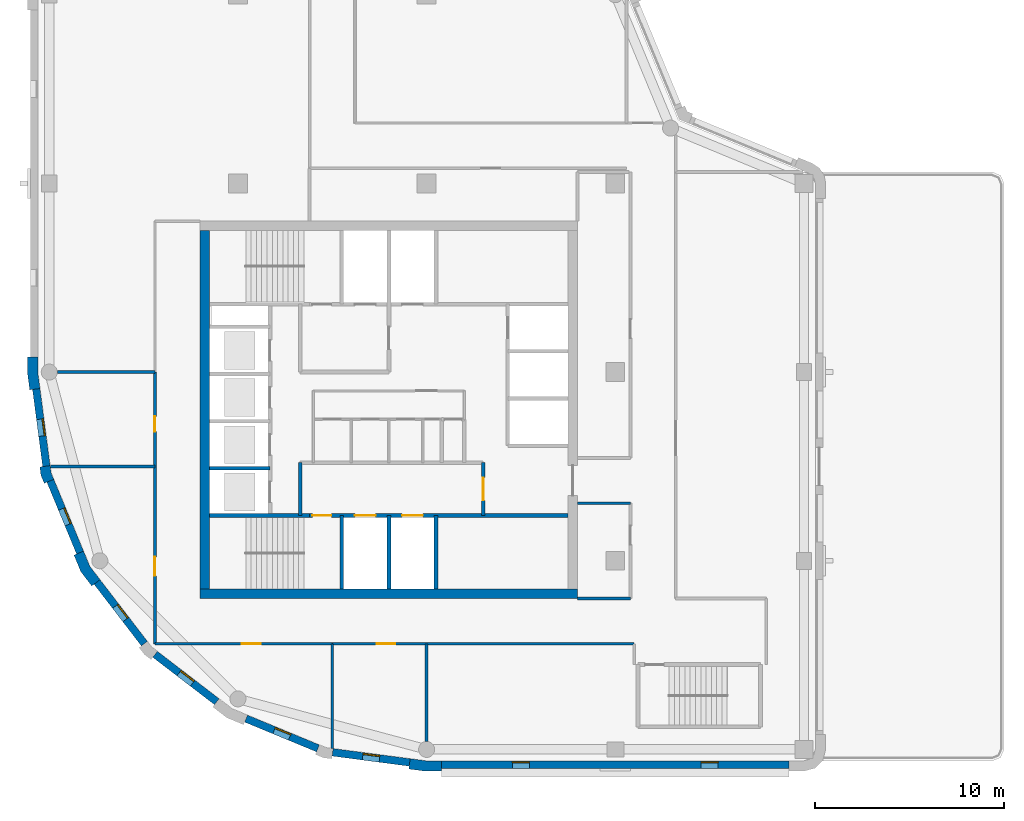
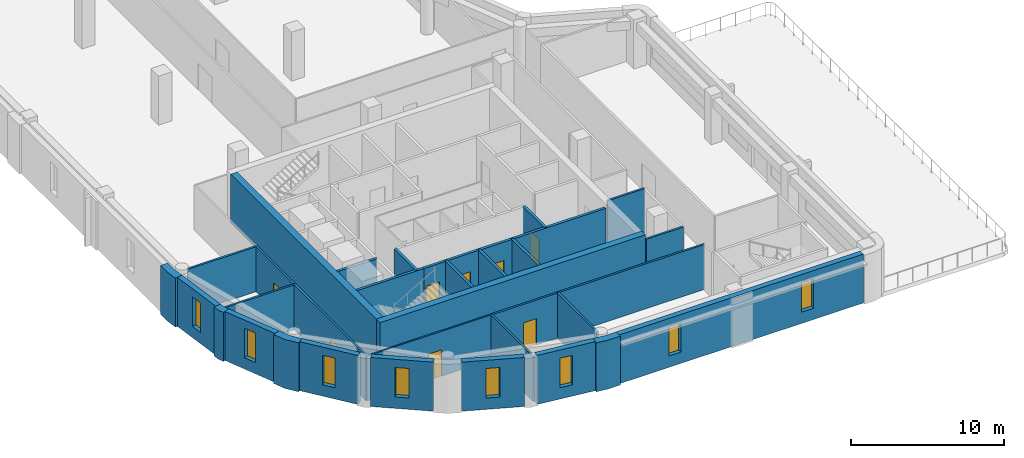
# One storey, part 2 of 8: 30 walls, 8 doors, 8 windows, 16 openings.
"""IFC4 building model written with IfcOpenShell, lengths in metres."""

from ifc_helpers import new_model, si_unit, direction, frame, frame_2d, origin, place, context, subcontext, project, spatial, polyline, rectangle, outline, extrude, material, layer, layer_set, type_object, element, fill, save


model = new_model("IFC4")

# Units and contexts
model_context = context("Model", 3, precision=1e-05, world=origin(), true_north=direction((0.0, 1.0)))
body_context = subcontext(model_context, "Body", "Model", "MODEL_VIEW")
ifc_project = project(units=[si_unit("LENGTHUNIT", "METRE"), si_unit("AREAUNIT", "SQUARE_METRE"), si_unit("VOLUMEUNIT", "CUBIC_METRE"), si_unit("PLANEANGLEUNIT", "RADIAN"), si_unit("MASSUNIT", "GRAM", prefix="KILO")], contexts=[model_context])

# Site, building, storey
site_placement = place(None, origin())
site = spatial("IfcSite", under=ifc_project, at=site_placement, CompositionType="ELEMENT")
building_placement = place(site_placement, origin())
building = spatial("IfcBuilding", under=site, at=building_placement, Name="Qaws Garden Tower", CompositionType="ELEMENT")
storey_placement = place(building_placement, frame((0.0, 0.0, 278.699951171875)))
storey = spatial("IfcBuildingStorey", under=building, at=storey_placement, Name="L67", CompositionType="ELEMENT", Elevation=278.699951171875)

# Wall, openings, windows
ifc_material_1 = material(Name="Clay facing brick masonry", Category="masonry")
ifc_layer_1 = layer(ifc_material_1, 0.39990234375)
ifc_layer_set_1 = layer_set([ifc_layer_1], Name="Clay facing brick masonry")
wall_type_1 = type_object("IfcWallType", Name="Brick infill wall 400", PredefinedType="SOLIDWALL", material=ifc_layer_set_1)
wall_1_placement = place(storey_placement, frame((20.800048828125, -0.800048828125, 0.0), z_axis=(0.0, 0.0, 1.0), x_axis=(1.0, 0.0, 0.0)))
wall_1 = element("IfcWall", 1, at=wall_1_placement, inside=storey, type_object=wall_type_1, Name="E-L67-infill-00", PredefinedType="SOLIDWALL", context=body_context, shape_type="SweptSolid", body=[
    extrude(rectangle(XDim=18.39990234375, YDim=0.39990234375, at=frame_2d((9.199951171875, 0.0))), origin(), (0.0, 0.0, 1.0), 3.900146484375),
])
opening_1_placement = place(wall_1_placement, frame((3.75, 0.0, 0.89990234375)))
opening_1 = element("IfcOpeningElement", 2, at=opening_1_placement, cuts=wall_1, Name="Opening W09", PredefinedType="OPENING", context=body_context, shape_type="SweptSolid", body=[
    extrude(rectangle(XDim=0.89990234375, YDim=2.35009765625, at=frame_2d((0.449951171875, 1.175048828125))), frame((0.0, 0.2099609375, 0.0), z_axis=(0.0, -1.0, 0.0), x_axis=(1.0, 0.0, 0.0)), (0.0, 0.0, 1.0), 0.419921875),
])
opening_2_placement = place(wall_1_placement, frame((13.75, 0.0, 0.89990234375)))
opening_2 = element("IfcOpeningElement", 3, at=opening_2_placement, cuts=wall_1, Name="Opening W09", PredefinedType="OPENING", context=body_context, shape_type="SweptSolid", body=[
    extrude(rectangle(XDim=0.89990234375, YDim=2.35009765625, at=frame_2d((0.449951171875, 1.175048828125))), frame((0.0, 0.2099609375, 0.0), z_axis=(0.0, -1.0, 0.0), x_axis=(1.0, 0.0, 0.0)), (0.0, 0.0, 1.0), 0.419921875),
])
ifc_material_2 = material(Name="Aluminium framed window, clear glazing", Category="aluminium")
window_type = type_object("IfcWindowType", Name="Slit window 900 x 2350", PartitioningType="SINGLE_PANEL", PredefinedType="WINDOW", material=ifc_material_2)
window_1_placement = place(opening_1_placement, origin())
window_1 = element("IfcWindow", 4, at=window_1_placement, inside=storey, type_object=window_type, Name="E-L67-window-00-0", OverallHeight=2.35009765625, OverallWidth=0.89990234375, PartitioningType="SINGLE_PANEL", PredefinedType="WINDOW", context=body_context, shape_type="SweptSolid", body=[
    extrude(rectangle(XDim=0.89990234375, YDim=2.35009765625, at=frame_2d((0.449951171875, 1.175048828125))), frame((0.0, 0.159912109375, 0.0), z_axis=(0.0, -1.0, 0.0), x_axis=(1.0, 0.0, 0.0)), (0.0, 0.0, 1.0), 0.06005859375),
])
fill(opening_1, window_1)
window_2_placement = place(opening_2_placement, origin())
window_2 = element("IfcWindow", 5, at=window_2_placement, inside=storey, type_object=window_type, Name="E-L67-window-01-0", OverallHeight=2.35009765625, OverallWidth=0.89990234375, PartitioningType="SINGLE_PANEL", PredefinedType="WINDOW", context=body_context, shape_type="SweptSolid", body=[
    extrude(rectangle(XDim=0.89990234375, YDim=2.35009765625, at=frame_2d((0.449951171875, 1.175048828125))), frame((0.0, 0.159912109375, 0.0), z_axis=(0.0, -1.0, 0.0), x_axis=(1.0, 0.0, 0.0)), (0.0, 0.0, 1.0), 0.06005859375),
])
fill(opening_2, window_2)

# Wall, opening, window
wall_2_placement = place(storey_placement, frame((-0.688720703125, 19.102294921875, 0.0), z_axis=(0.0, 0.0, 1.0), x_axis=(0.130514280502, -0.991446429508, 0.0)))
wall_2 = element("IfcWall", 6, at=wall_2_placement, inside=storey, type_object=wall_type_1, Name="E-L67-infill-21", PredefinedType="SOLIDWALL", context=body_context, shape_type="SweptSolid", body=[
    extrude(rectangle(XDim=4.120849609375, YDim=0.39990234375, at=frame_2d((2.060546875, 0.0))), origin(), (0.0, 0.0, 1.0), 3.900146484375),
])
opening_3_placement = place(wall_2_placement, frame((1.610595703125, 0.0, 0.89990234375)))
opening_3 = element("IfcOpeningElement", 7, at=opening_3_placement, cuts=wall_2, Name="Opening W09", PredefinedType="OPENING", context=body_context, shape_type="SweptSolid", body=[
    extrude(rectangle(XDim=0.89990234375, YDim=2.35009765625, at=frame_2d((0.449951171875, 1.175048828125))), frame((0.0, 0.2099609375, 0.0), z_axis=(0.0, -1.0, 0.0), x_axis=(1.0, 0.0, 0.0)), (0.0, 0.0, 1.0), 0.419921875),
])
window_3_placement = place(opening_3_placement, origin())
window_3 = element("IfcWindow", 8, at=window_3_placement, inside=storey, type_object=window_type, Name="E-L67-window-21-0", OverallHeight=2.35009765625, OverallWidth=0.89990234375, PartitioningType="SINGLE_PANEL", PredefinedType="WINDOW", context=body_context, shape_type="SweptSolid", body=[
    extrude(rectangle(XDim=0.89990234375, YDim=2.35009765625, at=frame_2d((0.449951171875, 1.175048828125))), frame((0.0, 0.159912109375, 0.0), z_axis=(0.0, -1.0, 0.0), x_axis=(1.0, 0.0, 0.0)), (0.0, 0.0, 1.0), 0.06005859375),
])
fill(opening_3, window_3)

wall_3_placement = place(storey_placement, frame((0.05712890625, 14.240234375, 0.0), z_axis=(0.0, 0.0, 1.0), x_axis=(0.382721546029, -0.923863744394, 0.0)))
wall_3 = element("IfcWall", 9, at=wall_3_placement, inside=storey, type_object=wall_type_1, Name="E-L67-infill-22", PredefinedType="SOLIDWALL", context=body_context, shape_type="SweptSolid", body=[
    extrude(rectangle(XDim=4.120849609375, YDim=0.39990234375, at=frame_2d((2.060546875, 0.0))), origin(), (0.0, 0.0, 1.0), 3.900146484375),
])
opening_4_placement = place(wall_3_placement, frame((1.610595703125, 0.0, 0.89990234375)))
opening_4 = element("IfcOpeningElement", 10, at=opening_4_placement, cuts=wall_3, Name="Opening W09", PredefinedType="OPENING", context=body_context, shape_type="SweptSolid", body=[
    extrude(rectangle(XDim=0.89990234375, YDim=2.35009765625, at=frame_2d((0.449951171875, 1.175048828125))), frame((0.0, 0.2099609375, 0.0), z_axis=(0.0, -1.0, 0.0), x_axis=(1.0, 0.0, 0.0)), (0.0, 0.0, 1.0), 0.419921875),
])
window_4_placement = place(opening_4_placement, origin())
window_4 = element("IfcWindow", 11, at=window_4_placement, inside=storey, type_object=window_type, Name="E-L67-window-22-0", OverallHeight=2.35009765625, OverallWidth=0.89990234375, PartitioningType="SINGLE_PANEL", PredefinedType="WINDOW", context=body_context, shape_type="SweptSolid", body=[
    extrude(rectangle(XDim=0.89990234375, YDim=2.35009765625, at=frame_2d((0.449951171875, 1.175048828125))), frame((0.0, 0.159912109375, 0.0), z_axis=(0.0, -1.0, 0.0), x_axis=(1.0, 0.0, 0.0)), (0.0, 0.0, 1.0), 0.06005859375),
])
fill(opening_4, window_4)

wall_4_placement = place(storey_placement, frame((2.53173828125, 8.87841796875, 0.0), z_axis=(0.0, 0.0, 1.0), x_axis=(0.608759824817, -0.793354571229, 0.0)))
wall_4 = element("IfcWall", 12, at=wall_4_placement, inside=storey, type_object=wall_type_1, Name="E-L67-infill-23", PredefinedType="SOLIDWALL", context=body_context, shape_type="SweptSolid", body=[
    extrude(rectangle(XDim=4.12109375, YDim=0.39990234375, at=frame_2d((2.060546875, 0.0))), origin(), (0.0, 0.0, 1.0), 3.900146484375),
])
opening_5_placement = place(wall_4_placement, frame((1.610595703125, 0.0, 0.89990234375)))
opening_5 = element("IfcOpeningElement", 13, at=opening_5_placement, cuts=wall_4, Name="Opening W09", PredefinedType="OPENING", context=body_context, shape_type="SweptSolid", body=[
    extrude(rectangle(XDim=0.89990234375, YDim=2.35009765625, at=frame_2d((0.449951171875, 1.175048828125))), frame((0.0, 0.2099609375, 0.0), z_axis=(0.0, -1.0, 0.0), x_axis=(1.0, 0.0, 0.0)), (0.0, 0.0, 1.0), 0.419921875),
])
window_5_placement = place(opening_5_placement, origin())
window_5 = element("IfcWindow", 14, at=window_5_placement, inside=storey, type_object=window_type, Name="E-L67-window-23-0", OverallHeight=2.35009765625, OverallWidth=0.89990234375, PartitioningType="SINGLE_PANEL", PredefinedType="WINDOW", context=body_context, shape_type="SweptSolid", body=[
    extrude(rectangle(XDim=0.89990234375, YDim=2.35009765625, at=frame_2d((0.449951171875, 1.175048828125))), frame((0.0, 0.159912109375, 0.0), z_axis=(0.0, -1.0, 0.0), x_axis=(1.0, 0.0, 0.0)), (0.0, 0.0, 1.0), 0.06005859375),
])
fill(opening_5, window_5)

wall_5_placement = place(storey_placement, frame((5.60888671875, 5.04052734375, 0.0), z_axis=(0.0, 0.0, 1.0), x_axis=(0.793354571229, -0.608759824817, 0.0)))
wall_5 = element("IfcWall", 15, at=wall_5_placement, inside=storey, type_object=wall_type_1, Name="E-L67-infill-24", PredefinedType="SOLIDWALL", context=body_context, shape_type="SweptSolid", body=[
    extrude(rectangle(XDim=4.12109375, YDim=0.39990234375, at=frame_2d((2.060546875, 0.0))), origin(), (0.0, 0.0, 1.0), 3.900146484375),
])
opening_6_placement = place(wall_5_placement, frame((1.610595703125, 0.0, 0.89990234375)))
opening_6 = element("IfcOpeningElement", 16, at=opening_6_placement, cuts=wall_5, Name="Opening W09", PredefinedType="OPENING", context=body_context, shape_type="SweptSolid", body=[
    extrude(rectangle(XDim=0.89990234375, YDim=2.35009765625, at=frame_2d((0.449951171875, 1.175048828125))), frame((0.0, 0.2099609375, 0.0), z_axis=(0.0, -1.0, 0.0), x_axis=(1.0, 0.0, 0.0)), (0.0, 0.0, 1.0), 0.419921875),
])
window_6_placement = place(opening_6_placement, origin())
window_6 = element("IfcWindow", 17, at=window_6_placement, inside=storey, type_object=window_type, Name="E-L67-window-24-0", OverallHeight=2.35009765625, OverallWidth=0.89990234375, PartitioningType="SINGLE_PANEL", PredefinedType="WINDOW", context=body_context, shape_type="SweptSolid", body=[
    extrude(rectangle(XDim=0.89990234375, YDim=2.35009765625, at=frame_2d((0.449951171875, 1.175048828125))), frame((0.0, 0.159912109375, 0.0), z_axis=(0.0, -1.0, 0.0), x_axis=(1.0, 0.0, 0.0)), (0.0, 0.0, 1.0), 0.06005859375),
])
fill(opening_6, window_6)

wall_6_placement = place(storey_placement, frame((10.43310546875, 1.63427734375, 0.0), z_axis=(0.0, 0.0, 1.0), x_axis=(0.923863744394, -0.382721546029, 0.0)))
wall_6 = element("IfcWall", 18, at=wall_6_placement, inside=storey, type_object=wall_type_1, Name="E-L67-infill-25", PredefinedType="SOLIDWALL", context=body_context, shape_type="SweptSolid", body=[
    extrude(rectangle(XDim=4.120849609375, YDim=0.39990234375, at=frame_2d((2.060546875, 0.0))), origin(), (0.0, 0.0, 1.0), 3.900146484375),
])
opening_7_placement = place(wall_6_placement, frame((1.610595703125, 0.0, 0.89990234375)))
opening_7 = element("IfcOpeningElement", 19, at=opening_7_placement, cuts=wall_6, Name="Opening W09", PredefinedType="OPENING", context=body_context, shape_type="SweptSolid", body=[
    extrude(rectangle(XDim=0.89990234375, YDim=2.35009765625, at=frame_2d((0.449951171875, 1.175048828125))), frame((0.0, 0.2099609375, 0.0), z_axis=(0.0, -1.0, 0.0), x_axis=(1.0, 0.0, 0.0)), (0.0, 0.0, 1.0), 0.419921875),
])
window_7_placement = place(opening_7_placement, origin())
window_7 = element("IfcWindow", 20, at=window_7_placement, inside=storey, type_object=window_type, Name="E-L67-window-25-0", OverallHeight=2.35009765625, OverallWidth=0.89990234375, PartitioningType="SINGLE_PANEL", PredefinedType="WINDOW", context=body_context, shape_type="SweptSolid", body=[
    extrude(rectangle(XDim=0.89990234375, YDim=2.35009765625, at=frame_2d((0.449951171875, 1.175048828125))), frame((0.0, 0.159912109375, 0.0), z_axis=(0.0, -1.0, 0.0), x_axis=(1.0, 0.0, 0.0)), (0.0, 0.0, 1.0), 0.06005859375),
])
fill(opening_7, window_7)

wall_7_placement = place(storey_placement, frame((15.0166015625, -0.15087890625, 0.0), z_axis=(0.0, 0.0, 1.0), x_axis=(0.991446429508, -0.130514280502, 0.0)))
wall_7 = element("IfcWall", 21, at=wall_7_placement, inside=storey, type_object=wall_type_1, Name="E-L67-infill-26", PredefinedType="SOLIDWALL", context=body_context, shape_type="SweptSolid", body=[
    extrude(rectangle(XDim=4.120849609375, YDim=0.39990234375, at=frame_2d((2.060546875, 0.0))), origin(), (0.0, 0.0, 1.0), 3.900146484375),
])
opening_8_placement = place(wall_7_placement, frame((1.610595703125, 0.0, 0.89990234375)))
opening_8 = element("IfcOpeningElement", 22, at=opening_8_placement, cuts=wall_7, Name="Opening W09", PredefinedType="OPENING", context=body_context, shape_type="SweptSolid", body=[
    extrude(rectangle(XDim=0.89990234375, YDim=2.35009765625, at=frame_2d((0.449951171875, 1.175048828125))), frame((0.0, 0.2099609375, 0.0), z_axis=(0.0, -1.0, 0.0), x_axis=(1.0, 0.0, 0.0)), (0.0, 0.0, 1.0), 0.419921875),
])
window_8_placement = place(opening_8_placement, origin())
window_8 = element("IfcWindow", 23, at=window_8_placement, inside=storey, type_object=window_type, Name="E-L67-window-26-0", OverallHeight=2.35009765625, OverallWidth=0.89990234375, PartitioningType="SINGLE_PANEL", PredefinedType="WINDOW", context=body_context, shape_type="SweptSolid", body=[
    extrude(rectangle(XDim=0.89990234375, YDim=2.35009765625, at=frame_2d((0.449951171875, 1.175048828125))), frame((0.0, 0.159912109375, 0.0), z_axis=(0.0, -1.0, 0.0), x_axis=(1.0, 0.0, 0.0)), (0.0, 0.0, 1.0), 0.06005859375),
])
fill(opening_8, window_8)

# Walls
ifc_material_3 = material(Name="Clay facing brick masonry", Category="masonry")
ifc_layer_2 = layer(ifc_material_3, 0.550048828125)
ifc_layer_set_2 = layer_set([ifc_layer_2], Name="Clay facing brick masonry")
wall_type_2 = type_object("IfcWallType", Name="Brick kink pier 550 x 600", PredefinedType="SOLIDWALL", material=ifc_layer_set_2)
placement = place(storey_placement, origin())
element("IfcWall", 24, at=placement, inside=storey, type_object=wall_type_2, Name="E-L67-pier-22", PredefinedType="SOLIDWALL", context=body_context, shape_type="SweptSolid", body=[
    extrude(outline(polyline([(-0.34912109375, 14.990478515625), (-0.497802734375, 14.970947265625), (-0.43896484375, 14.5234375), (-0.26611328125, 14.1064453125), (-0.127685546875, 14.163818359375), (0.241943359375, 14.31689453125), (0.096923828125, 14.6669921875), (0.04736328125, 15.042724609375), (-0.34912109375, 14.990478515625)])), origin(), (0.0, 0.0, 1.0), 3.900146484375),
])
ifc_material_4 = material(Name="Clay facing brick masonry", Category="masonry")
ifc_layer_3 = layer(ifc_material_4, 0.550048828125)
ifc_layer_set_3 = layer_set([ifc_layer_3], Name="Clay facing brick masonry")
wall_type_3 = type_object("IfcWallType", Name="Brick pier 550 x 1600", PredefinedType="SOLIDWALL", material=ifc_layer_set_3)
element("IfcWall", 25, at=placement, inside=storey, type_object=wall_type_3, Name="E-L67-pier-00", PredefinedType="SOLIDWALL", context=body_context, shape_type="SweptSolid", body=[
    extrude(outline(polyline([(19.076416015625, -0.886962890625), (19.056640625, -1.03564453125), (19.924560546875, -1.14990234375), (20.800048828125, -1.14990234375), (20.800048828125, -1.0), (20.800048828125, -0.60009765625), (19.960693359375, -0.60009765625), (19.12841796875, -0.490478515625), (19.076416015625, -0.886962890625)])), origin(), (0.0, 0.0, 1.0), 3.900146484375),
])
element("IfcWall", 26, at=placement, inside=storey, type_object=wall_type_3, Name="E-L67-pier-21", PredefinedType="SOLIDWALL", context=body_context, shape_type="SweptSolid", body=[
    extrude(outline(polyline([(-1.0, 20.800048828125), (-1.14990234375, 20.800048828125), (-1.14990234375, 19.924560546875), (-1.03564453125, 19.056640625), (-0.886962890625, 19.076416015625), (-0.490478515625, 19.12841796875), (-0.60009765625, 19.960693359375), (-0.60009765625, 20.800048828125), (-1.0, 20.800048828125)])), origin(), (0.0, 0.0, 1.0), 3.900146484375),
])
element("IfcWall", 27, at=placement, inside=storey, type_object=wall_type_3, Name="E-L67-pier-23", PredefinedType="SOLIDWALL", context=body_context, shape_type="SweptSolid", body=[
    extrude(outline(polyline([(1.449462890625, 10.3564453125), (1.310791015625, 10.299072265625), (1.675048828125, 9.419921875), (2.254150390625, 8.665283203125), (2.373046875, 8.756591796875), (2.6904296875, 9.0), (2.1552734375, 9.697509765625), (1.819091796875, 10.509521484375), (1.449462890625, 10.3564453125)])), origin(), (0.0, 0.0, 1.0), 3.900146484375),
])
ifc_material_5 = material(Name="Concrete C60", Category="concrete")
ifc_layer_4 = layer(ifc_material_5, 0.199951171875)
ifc_layer_set_4 = layer_set([ifc_layer_4], Name="Concrete C60")
wall_type_4 = type_object("IfcWallType", Name="Core shaft wall 200 C60", PredefinedType="SHEAR", material=ifc_layer_set_4)
wall_12_placement = place(storey_placement, frame((8.5, 12.39990234375, 0.0), z_axis=(0.0, 0.0, 1.0), x_axis=(1.0, 0.0, 0.0)))
element("IfcWall", 28, at=wall_12_placement, inside=storey, type_object=wall_type_4, Name="Shaft wall", PredefinedType="SHEAR", context=body_context, shape_type="SweptSolid", body=[
    extrude(rectangle(XDim=5.300048828125, YDim=0.199951171875, at=frame_2d((2.64990234375, 0.0))), origin(), (0.0, 0.0, 1.0), 3.580078125),
])

# Wall, openings, doors
wall_13_placement = place(storey_placement, frame((13.800048828125, 12.39990234375, 0.0), z_axis=(0.0, 0.0, 1.0), x_axis=(1.0, 0.0, 0.0)))
wall_13 = element("IfcWall", 29, at=wall_13_placement, inside=storey, type_object=wall_type_4, Name="Shaft wall", PredefinedType="SHEAR", context=body_context, shape_type="SweptSolid", body=[
    extrude(rectangle(XDim=13.699951171875, YDim=0.199951171875, at=frame_2d((6.85009765625, 0.0))), origin(), (0.0, 0.0, 1.0), 3.580078125),
])
opening_9_placement = place(wall_13_placement, frame((2.39990234375, 0.0, 0.0)))
opening_9 = element("IfcOpeningElement", 30, at=opening_9_placement, cuts=wall_13, Name="Opening LD06", PredefinedType="OPENING", context=body_context, shape_type="SweptSolid", body=[
    extrude(rectangle(XDim=1.10009765625, YDim=2.10009765625, at=frame_2d((0.550048828125, 1.050048828125))), frame((0.0, 0.10986328125, 0.0), z_axis=(0.0, -1.0, 0.0), x_axis=(1.0, 0.0, 0.0)), (0.0, 0.0, 1.0), 0.219970703125),
])
opening_10_placement = place(wall_13_placement, frame((4.89990234375, 0.0, 0.0)))
opening_10 = element("IfcOpeningElement", 31, at=opening_10_placement, cuts=wall_13, Name="Opening LD07", PredefinedType="OPENING", context=body_context, shape_type="SweptSolid", body=[
    extrude(rectangle(XDim=1.10009765625, YDim=2.10009765625, at=frame_2d((0.550048828125, 1.050048828125))), frame((0.0, 0.10986328125, 0.0), z_axis=(0.0, -1.0, 0.0), x_axis=(1.0, 0.0, 0.0)), (0.0, 0.0, 1.0), 0.219970703125),
])
opening_11_placement = place(wall_13_placement, frame((0.14990234375, 0.0, 0.0)))
opening_11 = element("IfcOpeningElement", 32, at=opening_11_placement, cuts=wall_13, Name="Opening SD10", PredefinedType="OPENING", context=body_context, shape_type="SweptSolid", body=[
    extrude(rectangle(XDim=1.0, YDim=2.10009765625, at=frame_2d((0.5, 1.050048828125))), frame((0.0, 0.10986328125, 0.0), z_axis=(0.0, -1.0, 0.0), x_axis=(1.0, 0.0, 0.0)), (0.0, 0.0, 1.0), 0.219970703125),
])
ifc_material_6 = material(Name="Steel S235", Category="steel")
door_type_1 = type_object("IfcDoorType", Name="Landing door 1100x2100", OperationType="DOUBLE_DOOR_SLIDING", PredefinedType="DOOR", material=ifc_material_6)
door_1_placement = place(opening_9_placement, origin())
door_1 = element("IfcDoor", 33, at=door_1_placement, inside=storey, type_object=door_type_1, Name="Lift FF1 landing door", OperationType="DOUBLE_DOOR_SLIDING", OverallHeight=2.10009765625, OverallWidth=1.10009765625, PredefinedType="DOOR", context=body_context, shape_type="SweptSolid", body=[
    extrude(rectangle(XDim=1.10009765625, YDim=2.10009765625, at=frame_2d((0.550048828125, 1.050048828125))), frame((0.0, 0.02490234375, 0.0), z_axis=(0.0, -1.0, 0.0), x_axis=(1.0, 0.0, 0.0)), (0.0, 0.0, 1.0), 0.050048828125),
])
fill(opening_9, door_1)
door_2_placement = place(opening_10_placement, origin())
door_2 = element("IfcDoor", 34, at=door_2_placement, inside=storey, type_object=door_type_1, Name="Lift FF2 landing door", OperationType="DOUBLE_DOOR_SLIDING", OverallHeight=2.10009765625, OverallWidth=1.10009765625, PredefinedType="DOOR", context=body_context, shape_type="SweptSolid", body=[
    extrude(rectangle(XDim=1.10009765625, YDim=2.10009765625, at=frame_2d((0.550048828125, 1.050048828125))), frame((0.0, 0.02490234375, 0.0), z_axis=(0.0, -1.0, 0.0), x_axis=(1.0, 0.0, 0.0)), (0.0, 0.0, 1.0), 0.050048828125),
])
fill(opening_10, door_2)
ifc_material_7 = material(Name="Steel S235", Category="steel")
door_type_2 = type_object("IfcDoorType", Name="Stair door 1000x2100", OperationType="SINGLE_SWING_RIGHT", PredefinedType="DOOR", material=ifc_material_7)
door_3_placement = place(opening_11_placement, frame((1.0, 0.0, 0.0), z_axis=(0.0, 0.0, 1.0), x_axis=(-1.0, 0.0, 0.0)))
door_3 = element("IfcDoor", 35, at=door_3_placement, inside=storey, type_object=door_type_2, Name="Stair 1 door", OperationType="SINGLE_SWING_LEFT", OverallHeight=2.10009765625, OverallWidth=1.0, PredefinedType="DOOR", context=body_context, shape_type="SweptSolid", body=[
    extrude(rectangle(XDim=1.0, YDim=2.10009765625, at=frame_2d((0.5, 1.050048828125))), frame((0.0, 0.02490234375, 0.0), z_axis=(0.0, -1.0, 0.0), x_axis=(1.0, 0.0, 0.0)), (0.0, 0.0, 1.0), 0.050048828125),
])
fill(opening_11, door_3)

# Walls
wall_14_placement = place(storey_placement, frame((8.5, 14.89990234375, 0.0), z_axis=(0.0, 0.0, 1.0), x_axis=(1.0, 0.0, 0.0)))
element("IfcWall", 36, at=wall_14_placement, inside=storey, type_object=wall_type_4, Name="Shaft wall", PredefinedType="SHEAR", context=body_context, shape_type="SweptSolid", body=[
    extrude(rectangle(XDim=3.199951171875, YDim=0.199951171875, at=frame_2d((1.60009765625, 0.0))), origin(), (0.0, 0.0, 1.0), 3.580078125),
])
wall_15_placement = place(storey_placement, frame((13.300048828125, 12.39990234375, 0.0), z_axis=(0.0, 0.0, 1.0), x_axis=(0.0, 1.0, 0.0)))
element("IfcWall", 37, at=wall_15_placement, inside=storey, type_object=wall_type_4, Name="Shaft wall", PredefinedType="SHEAR", context=body_context, shape_type="SweptSolid", body=[
    extrude(rectangle(XDim=2.800048828125, YDim=0.199951171875, at=frame_2d((1.39990234375, 0.0))), origin(), (0.0, 0.0, 1.0), 3.580078125),
])
for number, where, z_axis, x_axis, name in (
    (38, (15.5, 8.5, 0.0), (0.0, 0.0, 1.0), (0.0, 1.0, 0.0), "Shaft wall"),
    (39, (18.0, 8.5, 0.0), (0.0, 0.0, 1.0), (0.0, 1.0, 0.0), "Shaft wall"),
    (40, (20.5, 8.5, 0.0), (0.0, 0.0, 1.0), (0.0, 1.0, 0.0), "Shaft wall"),
):
    element("IfcWall", number, at=place(storey_placement, frame(where, z_axis=z_axis, x_axis=x_axis)), inside=storey, type_object=wall_type_4, Name=name, PredefinedType="SHEAR", context=body_context, shape_type="SweptSolid", body=[
        extrude(rectangle(XDim=3.89990234375, YDim=0.199951171875, at=frame_2d((1.949951171875, 0.0))), origin(), (0.0, 0.0, 1.0), 3.580078125),
    ])

# Wall, opening, door
wall_16_placement = place(storey_placement, frame((23.0, 12.39990234375, 0.0), z_axis=(0.0, 0.0, 1.0), x_axis=(0.0, 1.0, 0.0)))
wall_16 = element("IfcWall", 41, at=wall_16_placement, inside=storey, type_object=wall_type_4, Name="Shaft wall", PredefinedType="SHEAR", context=body_context, shape_type="SweptSolid", body=[
    extrude(rectangle(XDim=2.800048828125, YDim=0.199951171875, at=frame_2d((1.39990234375, 0.0))), origin(), (0.0, 0.0, 1.0), 3.580078125),
])
opening_12_placement = place(wall_16_placement, frame((0.800048828125, 0.0, 0.0)))
opening_12 = element("IfcOpeningElement", 42, at=opening_12_placement, cuts=wall_16, Name="Opening FD15", PredefinedType="OPENING", context=body_context, shape_type="SweptSolid", body=[
    extrude(rectangle(XDim=1.199951171875, YDim=2.10009765625, at=frame_2d((0.60009765625, 1.050048828125))), frame((0.0, 0.10986328125, 0.0), z_axis=(0.0, -1.0, 0.0), x_axis=(1.0, 0.0, 0.0)), (0.0, 0.0, 1.0), 0.219970703125),
])
ifc_material_8 = material(Name="Steel S235", Category="steel")
door_type_3 = type_object("IfcDoorType", Name="Lobby door 1200x2100", OperationType="DOUBLE_DOOR_SINGLE_SWING", PredefinedType="DOOR", material=ifc_material_8)
door_4_placement = place(opening_12_placement, origin())
door_4 = element("IfcDoor", 43, at=door_4_placement, inside=storey, type_object=door_type_3, Name="Fire-fighting lobby door", OperationType="DOUBLE_DOOR_SINGLE_SWING", OverallHeight=2.10009765625, OverallWidth=1.199951171875, PredefinedType="DOOR", context=body_context, shape_type="SweptSolid", body=[
    extrude(rectangle(XDim=1.199951171875, YDim=2.10009765625, at=frame_2d((0.60009765625, 1.050048828125))), frame((0.0, 0.02490234375, 0.0), z_axis=(0.0, -1.0, 0.0), x_axis=(1.0, 0.0, 0.0)), (0.0, 0.0, 1.0), 0.050048828125),
])
fill(opening_12, door_4)

# Walls
ifc_material_9 = material(Name="Concrete C60", Category="concrete")
ifc_layer_5 = layer(ifc_material_9, 0.5)
ifc_layer_set_5 = layer_set([ifc_layer_5], Name="Concrete C60")
wall_type_5 = type_object("IfcWallType", Name="Core wall 500 C60", PredefinedType="SHEAR", material=ifc_layer_set_5)
wall_17_placement = place(storey_placement, frame((8.0, 8.25, 0.0), z_axis=(0.0, 0.0, 1.0), x_axis=(1.0, 0.0, 0.0)))
element("IfcWall", 44, at=wall_17_placement, inside=storey, type_object=wall_type_5, Name="Core wall L67 south", PredefinedType="SHEAR", context=body_context, shape_type="SweptSolid", body=[
    extrude(rectangle(XDim=20.0, YDim=0.5, at=frame_2d((10.0, 0.0))), origin(), (0.0, 0.0, 1.0), 3.900146484375),
])
wall_18_placement = place(storey_placement, frame((8.25, 27.5, 0.0), z_axis=(0.0, 0.0, 1.0), x_axis=(0.0, -1.0, 0.0)))
element("IfcWall", 45, at=wall_18_placement, inside=storey, type_object=wall_type_5, Name="Core wall L67 west", PredefinedType="SHEAR", context=body_context, shape_type="SweptSolid", body=[
    extrude(rectangle(XDim=19.0, YDim=0.5, at=frame_2d((9.5, 0.0))), origin(), (0.0, 0.0, 1.0), 3.900146484375),
])

# Wall, opening, door
ifc_material_10 = material(Name="Glass and aluminium framing", Category="aluminium")
ifc_layer_6 = layer(ifc_material_10, 0.1201171875)
ifc_layer_set_6 = layer_set([ifc_layer_6], Name="Glass and aluminium framing")
wall_type_6 = type_object("IfcWallType", Name="GLAZED PARTITION 120 EI 30", PredefinedType="PARTITIONING", material=ifc_layer_set_6)
wall_19_placement = place(storey_placement, frame((5.60009765625, 5.60009765625, 0.0), z_axis=(0.0, 0.0, 1.0), x_axis=(1.0, 0.0, 0.0)))
wall_19 = element("IfcWall", 46, at=wall_19_placement, inside=storey, type_object=wall_type_6, Name="O-L67-wall-034", PredefinedType="PARTITIONING", context=body_context, shape_type="SweptSolid", body=[
    extrude(rectangle(XDim=9.39990234375, YDim=0.1201171875, at=frame_2d((4.699951171875, 0.0))), origin(), (0.0, 0.0, 1.0), 3.580078125),
])
opening_13_placement = place(wall_19_placement, frame((4.60009765625, 0.0, 0.0)))
opening_13 = element("IfcOpeningElement", 47, at=opening_13_placement, cuts=wall_19, Name="Opening C406", PredefinedType="OPENING", context=body_context, shape_type="SweptSolid", body=[
    extrude(rectangle(XDim=1.0, YDim=2.10009765625, at=frame_2d((0.5, 1.050048828125))), frame((0.0, 0.070068359375, 0.0), z_axis=(0.0, -1.0, 0.0), x_axis=(1.0, 0.0, 0.0)), (0.0, 0.0, 1.0), 0.14013671875),
])
ifc_material_11 = material(Name="Timber door leaf", Category="wood")
door_type_4 = type_object("IfcDoorType", Name="TENANCY ENTRANCE DOOR 1000 X 2100", OperationType="SINGLE_SWING_LEFT", PredefinedType="DOOR", material=ifc_material_11)
door_5_placement = place(opening_13_placement, frame((1.0, 0.0, 0.0), z_axis=(0.0, 0.0, 1.0), x_axis=(-1.0, 0.0, 0.0)))
door_5 = element("IfcDoor", 48, at=door_5_placement, inside=storey, type_object=door_type_4, Name="O-L67-door-006", OperationType="SINGLE_SWING_LEFT", OverallHeight=2.10009765625, OverallWidth=1.0, PredefinedType="DOOR", context=body_context, shape_type="SweptSolid", body=[
    extrude(rectangle(XDim=1.0, YDim=2.10009765625, at=frame_2d((0.5, 1.050048828125))), frame((0.0, 0.02490234375, 0.0), z_axis=(0.0, -1.0, 0.0), x_axis=(1.0, 0.0, 0.0)), (0.0, 0.0, 1.0), 0.050048828125),
])
fill(opening_13, door_5)

# Wall, openings, doors
ifc_material_12 = material(Name="Gypsum board partition")
ifc_layer_7 = layer(ifc_material_12, 0.14990234375)
ifc_layer_set_7 = layer_set([ifc_layer_7], Name="Gypsum board partition")
wall_type_7 = type_object("IfcWallType", Name="PARTITION 150 EI 60", PredefinedType="PARTITIONING", material=ifc_layer_set_7)
wall_20_placement = place(storey_placement, frame((5.60009765625, 5.60009765625, 0.0), z_axis=(0.0, 0.0, 1.0), x_axis=(0.0, 1.0, 0.0)))
wall_20 = element("IfcWall", 49, at=wall_20_placement, inside=storey, type_object=wall_type_7, Name="O-L67-wall-001", PredefinedType="PARTITIONING", context=body_context, shape_type="SweptSolid", body=[
    extrude(rectangle(XDim=14.39990234375, YDim=0.14990234375, at=frame_2d((7.199951171875, 0.0))), origin(), (0.0, 0.0, 1.0), 3.580078125),
])
opening_14_placement = place(wall_20_placement, frame((3.60009765625, 0.0, 0.0)))
opening_14 = element("IfcOpeningElement", 50, at=opening_14_placement, cuts=wall_20, Name="Opening C401", PredefinedType="OPENING", context=body_context, shape_type="SweptSolid", body=[
    extrude(rectangle(XDim=1.0, YDim=2.10009765625, at=frame_2d((0.5, 1.050048828125))), frame((0.0, 0.0849609375, 0.0), z_axis=(0.0, -1.0, 0.0), x_axis=(1.0, 0.0, 0.0)), (0.0, 0.0, 1.0), 0.169921875),
])
opening_15_placement = place(wall_20_placement, frame((11.25, 0.0, 0.0)))
opening_15 = element("IfcOpeningElement", 51, at=opening_15_placement, cuts=wall_20, Name="Opening C402", PredefinedType="OPENING", context=body_context, shape_type="SweptSolid", body=[
    extrude(rectangle(XDim=0.800048828125, YDim=2.10009765625, at=frame_2d((0.39990234375, 1.050048828125))), frame((0.0, 0.0849609375, 0.0), z_axis=(0.0, -1.0, 0.0), x_axis=(1.0, 0.0, 0.0)), (0.0, 0.0, 1.0), 0.169921875),
])
ifc_material_13 = material(Name="Timber door leaf", Category="wood")
door_type_5 = type_object("IfcDoorType", Name="STORE DOOR 800 X 2100", OperationType="SINGLE_SWING_LEFT", PredefinedType="DOOR", material=ifc_material_13)
door_6_placement = place(opening_15_placement, origin())
door_6 = element("IfcDoor", 52, at=door_6_placement, inside=storey, type_object=door_type_5, Name="O-L67-door-002", OperationType="SINGLE_SWING_RIGHT", OverallHeight=2.10009765625, OverallWidth=0.800048828125, PredefinedType="DOOR", context=body_context, shape_type="SweptSolid", body=[
    extrude(rectangle(XDim=0.800048828125, YDim=2.10009765625, at=frame_2d((0.39990234375, 1.050048828125))), frame((0.0, 0.02490234375, 0.0), z_axis=(0.0, -1.0, 0.0), x_axis=(1.0, 0.0, 0.0)), (0.0, 0.0, 1.0), 0.050048828125),
])
fill(opening_15, door_6)
door_7_placement = place(opening_14_placement, origin())
door_7 = element("IfcDoor", 53, at=door_7_placement, inside=storey, type_object=door_type_4, Name="O-L67-door-001", OperationType="SINGLE_SWING_RIGHT", OverallHeight=2.10009765625, OverallWidth=1.0, PredefinedType="DOOR", context=body_context, shape_type="SweptSolid", body=[
    extrude(rectangle(XDim=1.0, YDim=2.10009765625, at=frame_2d((0.5, 1.050048828125))), frame((0.0, 0.02490234375, 0.0), z_axis=(0.0, -1.0, 0.0), x_axis=(1.0, 0.0, 0.0)), (0.0, 0.0, 1.0), 0.050048828125),
])
fill(opening_14, door_7)

# Walls
wall_21_placement = place(storey_placement, frame((15.0, 0.06298828125, 0.0), z_axis=(0.0, 0.0, 1.0), x_axis=(0.0, 1.0, 0.0)))
element("IfcWall", 54, at=wall_21_placement, inside=storey, type_object=wall_type_7, Name="O-L67-wall-003", PredefinedType="PARTITIONING", context=body_context, shape_type="SweptSolid", body=[
    extrude(rectangle(XDim=5.537109375, YDim=0.14990234375, at=frame_2d((2.7685546875, 0.0))), origin(), (0.0, 0.0, 1.0), 3.580078125),
])
wall_22_placement = place(storey_placement, frame((20.0, 0.425048828125, 0.0), z_axis=(0.0, 0.0, 1.0), x_axis=(0.0, 1.0, 0.0)))
element("IfcWall", 55, at=wall_22_placement, inside=storey, type_object=wall_type_7, Name="O-L67-wall-005", PredefinedType="PARTITIONING", context=body_context, shape_type="SweptSolid", body=[
    extrude(rectangle(XDim=5.175048828125, YDim=0.14990234375, at=frame_2d((2.58740234375, 0.0))), origin(), (0.0, 0.0, 1.0), 3.580078125),
])

# Wall, opening, door
wall_23_placement = place(storey_placement, frame((15.0, 5.60009765625, 0.0), z_axis=(0.0, 0.0, 1.0), x_axis=(1.0, 0.0, 0.0)))
wall_23 = element("IfcWall", 56, at=wall_23_placement, inside=storey, type_object=wall_type_7, Name="O-L67-wall-014", PredefinedType="PARTITIONING", context=body_context, shape_type="SweptSolid", body=[
    extrude(rectangle(XDim=16.0, YDim=0.14990234375, at=frame_2d((8.0, 0.0))), origin(), (0.0, 0.0, 1.0), 3.580078125),
])
opening_16_placement = place(wall_23_placement, frame((2.35009765625, 0.0, 0.0)))
opening_16 = element("IfcOpeningElement", 57, at=opening_16_placement, cuts=wall_23, Name="Opening C407", PredefinedType="OPENING", context=body_context, shape_type="SweptSolid", body=[
    extrude(rectangle(XDim=1.0, YDim=2.10009765625, at=frame_2d((0.5, 1.050048828125))), frame((0.0, 0.0849609375, 0.0), z_axis=(0.0, -1.0, 0.0), x_axis=(1.0, 0.0, 0.0)), (0.0, 0.0, 1.0), 0.169921875),
])
door_8_placement = place(opening_16_placement, frame((1.0, 0.0, 0.0), z_axis=(0.0, 0.0, 1.0), x_axis=(-1.0, 0.0, 0.0)))
door_8 = element("IfcDoor", 58, at=door_8_placement, inside=storey, type_object=door_type_4, Name="O-L67-door-007", OperationType="SINGLE_SWING_LEFT", OverallHeight=2.10009765625, OverallWidth=1.0, PredefinedType="DOOR", context=body_context, shape_type="SweptSolid", body=[
    extrude(rectangle(XDim=1.0, YDim=2.10009765625, at=frame_2d((0.5, 1.050048828125))), frame((0.0, 0.02490234375, 0.0), z_axis=(0.0, -1.0, 0.0), x_axis=(1.0, 0.0, 0.0)), (0.0, 0.0, 1.0), 0.050048828125),
])
fill(opening_16, door_8)

# Walls
for number, where, z_axis, x_axis, name in (
    (59, (28.0, 8.0, 0.0), (0.0, 0.0, 1.0), (1.0, 0.0, 0.0), "O-L67-wall-015"),
    (60, (28.0, 13.050048828125, 0.0), (0.0, 0.0, 1.0), (1.0, 0.0, 0.0), "O-L67-wall-017"),
):
    element("IfcWall", number, at=place(storey_placement, frame(where, z_axis=z_axis, x_axis=x_axis)), inside=storey, type_object=wall_type_7, Name=name, PredefinedType="PARTITIONING", context=body_context, shape_type="SweptSolid", body=[
        extrude(rectangle(XDim=2.800048828125, YDim=0.14990234375, at=frame_2d((1.39990234375, 0.0))), origin(), (0.0, 0.0, 1.0), 3.580078125),
    ])
wall_24_placement = place(storey_placement, frame((0.06298828125, 15.0, 0.0), z_axis=(0.0, 0.0, 1.0), x_axis=(1.0, 0.0, 0.0)))
element("IfcWall", 61, at=wall_24_placement, inside=storey, type_object=wall_type_7, Name="O-L67-wall-018", PredefinedType="PARTITIONING", context=body_context, shape_type="SweptSolid", body=[
    extrude(rectangle(XDim=5.537109375, YDim=0.14990234375, at=frame_2d((2.7685546875, 0.0))), origin(), (0.0, 0.0, 1.0), 3.580078125),
])
wall_25_placement = place(storey_placement, frame((0.425048828125, 20.0, 0.0), z_axis=(0.0, 0.0, 1.0), x_axis=(1.0, 0.0, 0.0)))
element("IfcWall", 62, at=wall_25_placement, inside=storey, type_object=wall_type_7, Name="O-L67-wall-020", PredefinedType="PARTITIONING", context=body_context, shape_type="SweptSolid", body=[
    extrude(rectangle(XDim=5.175048828125, YDim=0.14990234375, at=frame_2d((2.58740234375, 0.0))), origin(), (0.0, 0.0, 1.0), 3.580078125),
])

save(model, "model.ifc")
